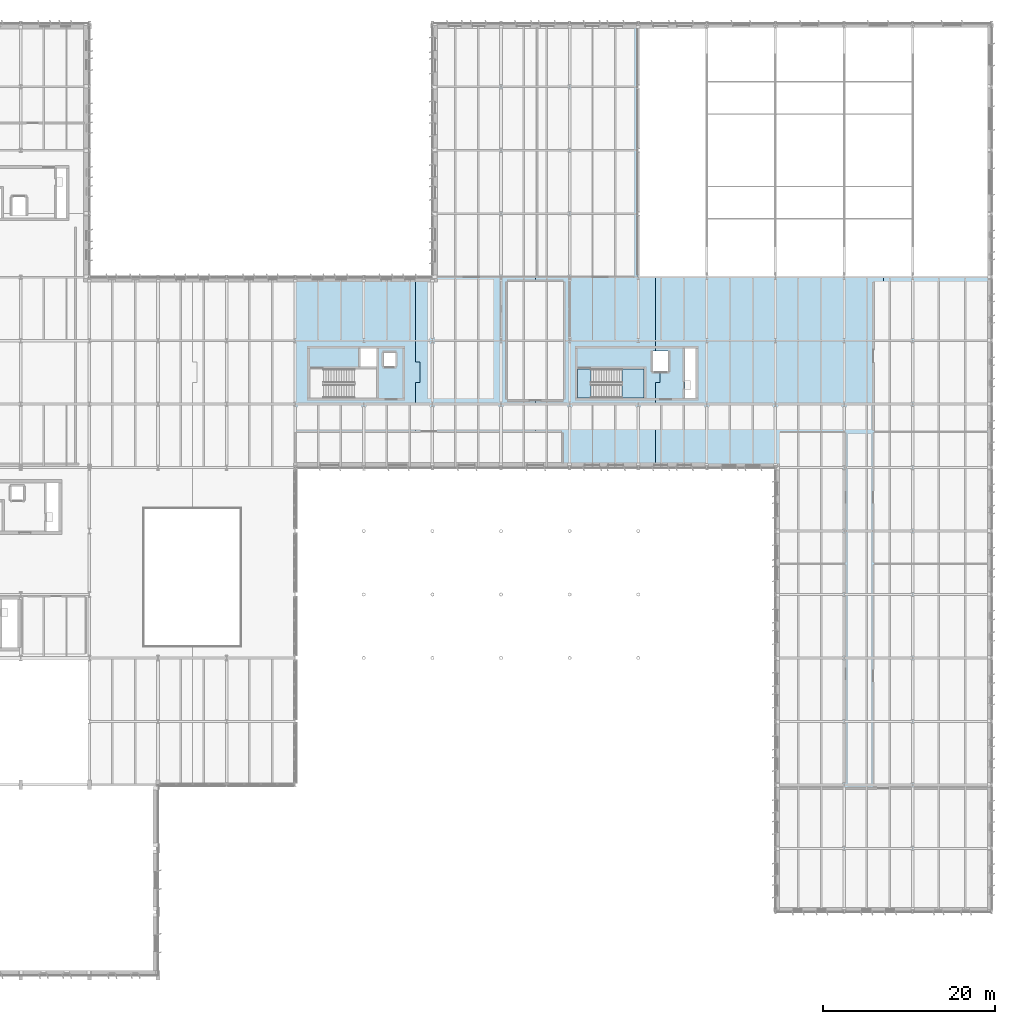
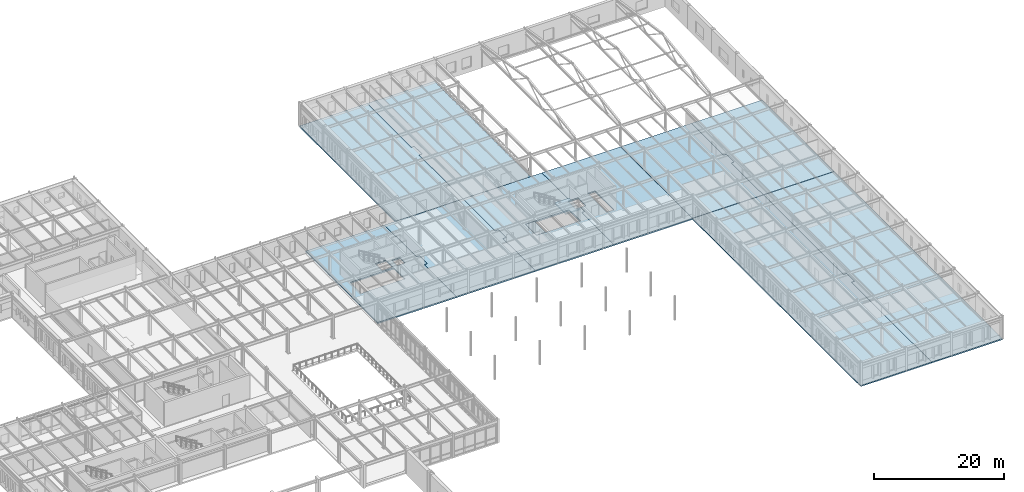
# One storey, part 32 of 75: 12 slabs, 1 element without a shape of its own.
"""IFC4 building model written with IfcOpenShell, lengths in metres."""

from ifc_helpers import new_model, si_unit, direction, frame, origin, place, context, subcontext, project, spatial, polyline, outline, extrude, material, layer, layer_set, type_object, element, aggregate, save


model = new_model("IFC4")

# Units and contexts
model_context = context("Model", 3, precision=1e-05, world=origin(), true_north=direction((0.0, 1.0)))
body_context = subcontext(model_context, "Body", "Model", "MODEL_VIEW")
ifc_project = project(units=[si_unit("LENGTHUNIT", "METRE"), si_unit("AREAUNIT", "SQUARE_METRE"), si_unit("VOLUMEUNIT", "CUBIC_METRE"), si_unit("PLANEANGLEUNIT", "RADIAN"), si_unit("MASSUNIT", "GRAM", prefix="KILO")], contexts=[model_context])

# Site, building, storey
site_placement = place(None, origin())
site = spatial("IfcSite", under=ifc_project, at=site_placement, CompositionType="ELEMENT")
building_placement = place(site_placement, origin())
building = spatial("IfcBuilding", under=site, at=building_placement, Name="Valkorina Park Police Headquarters", CompositionType="ELEMENT")
storey_placement = place(building_placement, frame((0.0, 0.0, 5.39990234375)))
storey = spatial("IfcBuildingStorey", under=building, at=storey_placement, Name="L02", CompositionType="ELEMENT", Elevation=5.39990234375)

# Slabs
ifc_material_1 = material(Name="Concrete C35/45", Category="concrete")
ifc_layer_1 = layer(ifc_material_1, 0.2451171875)
ifc_layer_set_1 = layer_set([ifc_layer_1], Name="Concrete C35/45")
slab_type_1 = type_object("IfcSlabType", Name="SL-COMP-LAB-170", PredefinedType="FLOOR", material=ifc_layer_set_1)
slab_1_placement = place(storey_placement, frame((0.0, 0.0, -0.244873046875)))
element("IfcSlab", 1, at=slab_1_placement, inside=storey, type_object=slab_type_1, Name="L02 Structural Floor Slab 54", PredefinedType="FLOOR", context=body_context, shape_type="SweptSolid", body=[
    extrude(outline(polyline([(149.39990234375, 7.39990234375), (149.39990234375, 32.095947265625), (149.949951171875, 32.095947265625), (149.949951171875, 34.49609375), (149.39990234375, 34.49609375), (149.39990234375, 59.19189453125), (136.800048828125, 59.19189453125), (136.800048828125, 7.39990234375), (149.39990234375, 7.39990234375)])), origin(), (0.0, 0.0, 1.0), 0.244873046875),
])
slab_2_placement = place(storey_placement, frame((0.0, 0.0, -0.244873046875)))
element("IfcSlab", 2, at=slab_2_placement, inside=storey, type_object=slab_type_1, Name="L02 Structural Floor Slab 55", PredefinedType="FLOOR", context=body_context, shape_type="SweptSolid", body=[
    extrude(outline(polyline([(149.39990234375, 59.19189453125), (149.39990234375, 34.49609375), (149.949951171875, 34.49609375), (149.949951171875, 32.095947265625), (149.39990234375, 32.095947265625), (149.39990234375, 7.39990234375), (162.0, 7.39990234375), (162.0, 59.19189453125), (149.39990234375, 59.19189453125)])), origin(), (0.0, 0.0, 1.0), 0.244873046875),
])
slab_3_placement = place(storey_placement, frame((0.0, 0.0, -0.244873046875)))
element("IfcSlab", 3, at=slab_3_placement, inside=storey, type_object=slab_type_1, Name="L02 Structural Floor Slab 56", PredefinedType="FLOOR", context=body_context, shape_type="SweptSolid", body=[
    extrude(outline(polyline([(149.39990234375, 59.241943359375), (149.39990234375, 69.12109375), (149.949951171875, 69.12109375), (149.949951171875, 71.52099609375), (149.39990234375, 71.52099609375), (149.39990234375, 81.39990234375), (136.800048828125, 81.39990234375), (136.800048828125, 59.241943359375), (149.39990234375, 59.241943359375)])), origin(), (0.0, 0.0, 1.0), 0.244873046875),
])
slab_4_placement = place(storey_placement, frame((0.0, 0.0, -0.244873046875)))
element("IfcSlab", 4, at=slab_4_placement, inside=storey, type_object=slab_type_1, Name="L02 Structural Floor Slab 57", PredefinedType="FLOOR", context=body_context, shape_type="SweptSolid", body=[
    extrude(outline(polyline([(149.39990234375, 81.39990234375), (149.39990234375, 71.52099609375), (149.949951171875, 71.52099609375), (149.949951171875, 69.12109375), (149.39990234375, 69.12109375), (149.39990234375, 59.241943359375), (162.0, 59.241943359375), (162.0, 81.39990234375), (149.39990234375, 81.39990234375)])), origin(), (0.0, 0.0, 1.0), 0.244873046875),
])

# Stair, slab
stair_type = type_object("IfcStairType", Name="ST-DOGLEG-160-45", PredefinedType="HALF_TURN_STAIR", material=ifc_material_1)
stair_placement = place(storey_placement, origin())
stair = element("IfcStair", 5, at=stair_placement, inside=storey, type_object=stair_type, Name="L02 Core C5 Protected Stair (ST-03)", PredefinedType="HALF_TURN_STAIR")
ifc_layer_2 = layer(ifc_material_1, 0.22998046875)
ifc_layer_set_2 = layer_set([ifc_layer_2], Name="Concrete C35/45")
slab_type_2 = type_object("IfcSlabType", Name="SL-LANDING-230", PredefinedType="LANDING", material=ifc_layer_set_2)
slab_5_placement = place(storey_placement, frame((0.0, 0.0, 2.02001953125)))
slab_5 = element("IfcSlab", 6, at=slab_5_placement, type_object=slab_type_2, Name="ST-03 landing 1", PredefinedType="LANDING", context=body_context, shape_type="SweptSolid", body=[
    extrude(outline(polyline([(118.89990234375, 67.300048828125), (121.5, 67.300048828125), (121.5, 70.699951171875), (118.89990234375, 70.699951171875), (118.89990234375, 67.300048828125)])), origin(), (0.0, 0.0, 1.0), 0.22998046875),
])
aggregate(stair, [slab_5])

# Slabs
ifc_layer_3 = layer(ifc_material_1, 0.260009765625)
ifc_layer_set_3 = layer_set([ifc_layer_3], Name="Concrete C35/45")
slab_type_3 = type_object("IfcSlabType", Name="SL-PODIUM-260", PredefinedType="FLOOR", material=ifc_layer_set_3)
slab_6_placement = place(storey_placement, frame((0.0, 0.0, -0.260009765625)))
element("IfcSlab", 7, at=slab_6_placement, inside=storey, type_object=slab_type_3, Name="L02 Structural Floor Slab 48", PredefinedType="FLOOR", context=body_context, shape_type="SweptSolid", body=[
    extrude(outline(polyline([(94.800048828125, 59.241943359375), (94.800048828125, 69.12109375), (95.35009765625, 69.12109375), (95.35009765625, 71.52099609375), (94.800048828125, 71.52099609375), (94.800048828125, 81.39990234375), (80.800048828125, 81.39990234375), (80.800048828125, 59.241943359375), (94.800048828125, 59.241943359375)]), holes=[polyline([(82.5, 70.699951171875), (90.300048828125, 70.699951171875), (90.300048828125, 67.300048828125), (82.5, 67.300048828125), (82.5, 70.699951171875)]), polyline([(91.10009765625, 71.0), (91.10009765625, 72.60009765625), (92.5, 72.60009765625), (92.5, 71.0), (91.10009765625, 71.0)]), polyline([(90.300048828125, 70.97998046875), (88.39990234375, 70.97998046875), (88.39990234375, 73.10009765625), (90.300048828125, 73.10009765625), (90.300048828125, 70.97998046875)])]), origin(), (0.0, 0.0, 1.0), 0.260009765625),
])
slab_7_placement = place(storey_placement, frame((0.0, 0.0, -0.260009765625)))
element("IfcSlab", 8, at=slab_7_placement, inside=storey, type_object=slab_type_3, Name="L02 Structural Floor Slab 49", PredefinedType="FLOOR", context=body_context, shape_type="SweptSolid", body=[
    extrude(outline(polyline([(108.800048828125, 81.39990234375), (94.800048828125, 81.39990234375), (94.800048828125, 71.52099609375), (95.35009765625, 71.52099609375), (95.35009765625, 69.12109375), (94.800048828125, 69.12109375), (94.800048828125, 59.241943359375), (108.800048828125, 59.241943359375), (108.800048828125, 69.12109375), (109.35009765625, 69.12109375), (109.35009765625, 71.52099609375), (108.800048828125, 71.52099609375), (108.800048828125, 81.39990234375)])), origin(), (0.0, 0.0, 1.0), 0.260009765625),
])
slab_8_placement = place(storey_placement, frame((0.0, 0.0, -0.260009765625)))
element("IfcSlab", 9, at=slab_8_placement, inside=storey, type_object=slab_type_3, Name="L02 Structural Floor Slab 50", PredefinedType="FLOOR", context=body_context, shape_type="SweptSolid", body=[
    extrude(outline(polyline([(122.800048828125, 81.39990234375), (108.800048828125, 81.39990234375), (108.800048828125, 71.52099609375), (109.35009765625, 71.52099609375), (109.35009765625, 69.12109375), (108.800048828125, 69.12109375), (108.800048828125, 59.241943359375), (122.800048828125, 59.241943359375), (122.800048828125, 69.12109375), (123.35009765625, 69.12109375), (123.35009765625, 70.39990234375), (122.5, 70.39990234375), (122.5, 72.800048828125), (122.800048828125, 72.800048828125), (122.800048828125, 81.39990234375)]), holes=[polyline([(113.699951171875, 70.699951171875), (121.5, 70.699951171875), (121.5, 67.300048828125), (113.699951171875, 67.300048828125), (113.699951171875, 70.699951171875)])]), origin(), (0.0, 0.0, 1.0), 0.260009765625),
])
slab_9_placement = place(storey_placement, frame((0.0, 0.0, -0.260009765625)))
element("IfcSlab", 10, at=slab_9_placement, inside=storey, type_object=slab_type_3, Name="L02 Structural Floor Slab 51", PredefinedType="FLOOR", context=body_context, shape_type="SweptSolid", body=[
    extrude(outline(polyline([(122.800048828125, 81.39990234375), (122.800048828125, 72.800048828125), (124.300048828125, 72.800048828125), (124.300048828125, 70.39990234375), (123.35009765625, 70.39990234375), (123.35009765625, 69.12109375), (122.800048828125, 69.12109375), (122.800048828125, 59.241943359375), (136.800048828125, 59.241943359375), (136.800048828125, 81.39990234375), (122.800048828125, 81.39990234375)]), holes=[polyline([(127.5, 67.300048828125), (126.199951171875, 67.300048828125), (126.199951171875, 73.10009765625), (127.5, 73.10009765625), (127.5, 67.300048828125)])]), origin(), (0.0, 0.0, 1.0), 0.260009765625),
])
slab_10_placement = place(storey_placement, frame((0.0, 0.0, -0.260009765625)))
element("IfcSlab", 11, at=slab_10_placement, inside=storey, type_object=slab_type_3, Name="L02 Structural Floor Slab 52", PredefinedType="FLOOR", context=body_context, shape_type="SweptSolid", body=[
    extrude(outline(polyline([(108.800048828125, 81.39990234375), (108.800048828125, 95.0), (109.35009765625, 95.0), (109.35009765625, 97.39990234375), (108.800048828125, 97.39990234375), (108.800048828125, 111.0), (96.800048828125, 111.0), (96.800048828125, 81.39990234375), (108.800048828125, 81.39990234375)])), origin(), (0.0, 0.0, 1.0), 0.260009765625),
])
slab_11_placement = place(storey_placement, frame((0.0, 0.0, -0.260009765625)))
element("IfcSlab", 12, at=slab_11_placement, inside=storey, type_object=slab_type_3, Name="L02 Structural Floor Slab 53", PredefinedType="FLOOR", context=body_context, shape_type="SweptSolid", body=[
    extrude(outline(polyline([(108.800048828125, 111.0), (108.800048828125, 97.39990234375), (109.35009765625, 97.39990234375), (109.35009765625, 95.0), (108.800048828125, 95.0), (108.800048828125, 81.39990234375), (120.800048828125, 81.39990234375), (120.800048828125, 111.0), (108.800048828125, 111.0)])), origin(), (0.0, 0.0, 1.0), 0.260009765625),
])
ifc_material_2 = material(Name="Concrete C40/50", Category="concrete")
ifc_layer_4 = layer(ifc_material_2, 0.300048828125)
ifc_layer_set_4 = layer_set([ifc_layer_4], Name="Concrete C40/50")
slab_type_4 = type_object("IfcSlabType", Name="SL-VAULT-300", PredefinedType="FLOOR", material=ifc_layer_set_4)
slab_12_placement = place(storey_placement, frame((0.0, 0.0, -0.2998046875)))
element("IfcSlab", 13, at=slab_12_placement, inside=storey, type_object=slab_type_4, Name="L02 Core C5 Structural Floor Landing Slab", PredefinedType="FLOOR", context=body_context, shape_type="SweptSolid", body=[
    extrude(outline(polyline([(113.699951171875, 67.300048828125), (115.300048828125, 67.300048828125), (115.300048828125, 70.699951171875), (113.699951171875, 70.699951171875), (113.699951171875, 67.300048828125)])), origin(), (0.0, 0.0, 1.0), 0.2998046875),
])

save(model, "model.ifc")
